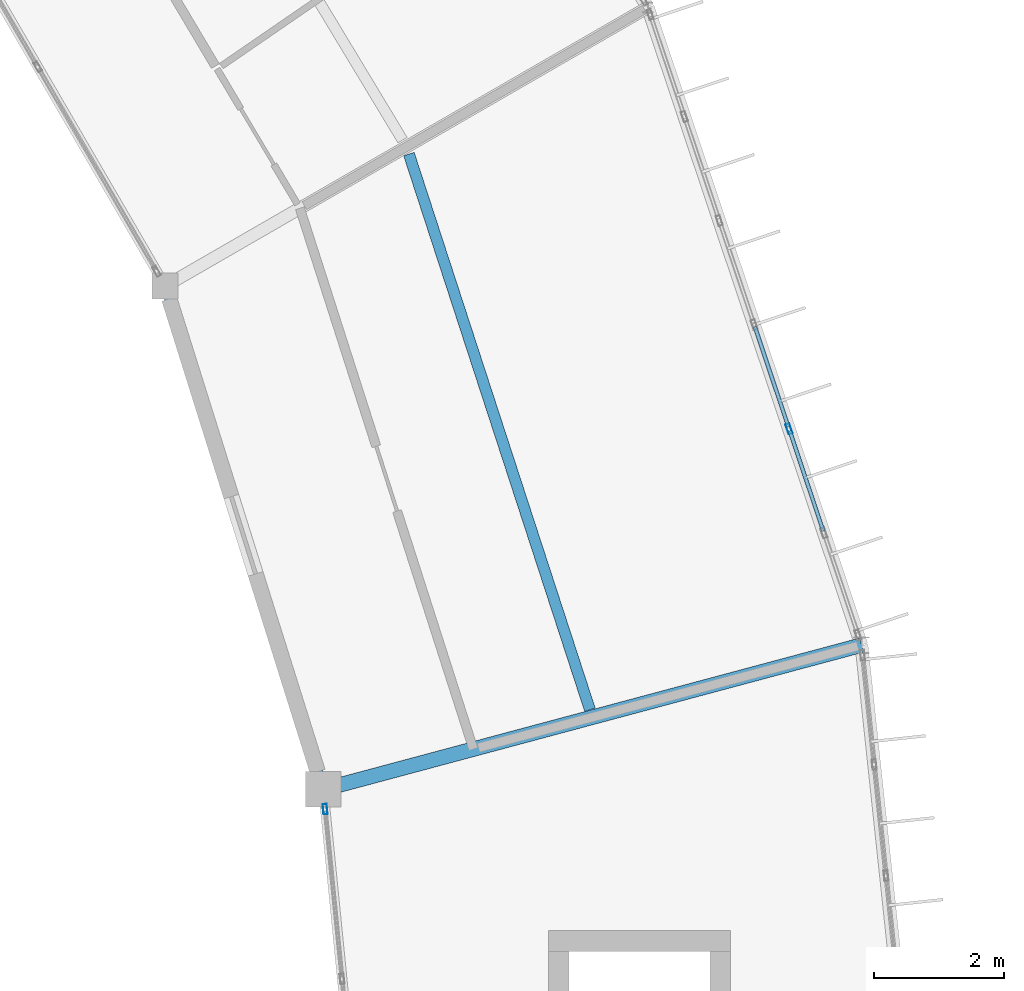
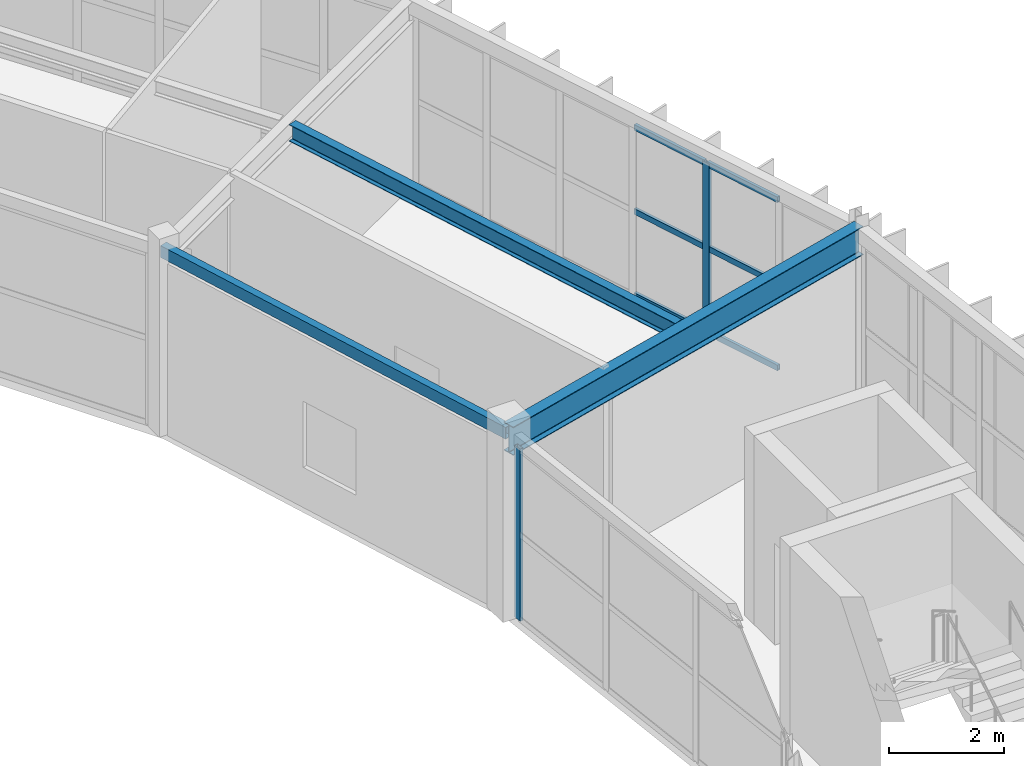
# One storey, part 59 of 130: 8 members, 3 beams, 2 elements without a shape of their own.
"""IFC4 building model written with IfcOpenShell, lengths in metres."""

import ifcopenshell
import ifcopenshell.guid

model = None  # the IFC model being written
_history = None  # IfcOwnerHistory: only IFC2X3 demands one
_inside = {}  # id of a spatial element -> (the spatial element, [elements in it])
_under = {}  # id of a project, library or spatial element -> (it, [spatial elements below it])
_declared = {}  # id of a project -> (the project, [libraries it declares])
_typed = {}  # id of a type object -> (the type object, [elements of that type])
_made_of = {}  # id of a material, layer set ... -> (it, [elements and type objects made of it])


def new_model(schema):
    """Start an empty IFC model of exactly this schema.

    Asked for "IFC4X3", IfcOpenShell would pick the latest addendum, in which some entities
    have other attributes; the version numbers below select the first issue.
    IFC2X3 requires an IfcOwnerHistory on every rooted entity: one is made here for all.
    """
    global model, _history
    if schema == "IFC4X3":
        model = ifcopenshell.file(schema_version=(4, 3, 0, 0))
    else:
        model = ifcopenshell.file(schema=schema)
    _inside.clear()
    _under.clear()
    _declared.clear()
    _typed.clear()
    _made_of.clear()
    _history = None
    if model.schema == "IFC2X3":
        org = make("IfcOrganization", Name="unknown")
        user = make(
            "IfcPersonAndOrganization",
            ThePerson=make("IfcPerson", FamilyName="unknown"),
            TheOrganization=org,
        )
        app = make(
            "IfcApplication",
            ApplicationDeveloper=org,
            Version="unknown",
            ApplicationFullName="unknown",
            ApplicationIdentifier="unknown",
        )
        _history = make(
            "IfcOwnerHistory",
            OwningUser=user,
            OwningApplication=app,
            ChangeAction="ADDED",
            CreationDate=0,
        )
    return model


def make(cls, **values):
    """One entity of the class cls with the attributes given. An attribute that is None is left unset."""
    return model.create_entity(
        cls, **{name: value for name, value in values.items() if value is not None}
    )


def rooted(cls, **values):
    """An entity with a GlobalId (a new one), such as an element, a storey or a relation."""
    return make(cls, GlobalId=ifcopenshell.guid.new(), OwnerHistory=_history, **values)


def si_unit(unit_type, name, prefix=None):
    """IfcSIUnit, for example si_unit("LENGTHUNIT", "METRE", prefix="MILLI")."""
    return make("IfcSIUnit", UnitType=unit_type, Prefix=prefix, Name=name)


def assignment(units):
    """IfcUnitAssignment: the units of a project."""
    return None if units is None else make("IfcUnitAssignment", Units=units)


def point(xyz):
    """IfcCartesianPoint."""
    return None if xyz is None else make("IfcCartesianPoint", Coordinates=xyz)


def direction(xyz):
    """IfcDirection."""
    return None if xyz is None else make("IfcDirection", DirectionRatios=xyz)


def frame(location, z_axis=None, x_axis=None):
    """IfcAxis2Placement3D, a coordinate frame: its origin and axes. An axis left out is left unset."""
    return make(
        "IfcAxis2Placement3D",
        Location=point(location),
        Axis=direction(z_axis),
        RefDirection=direction(x_axis),
    )


def frame_2d(location, x_axis=None):
    """IfcAxis2Placement2D, a coordinate frame in the plane: its origin and x axis."""
    return make(
        "IfcAxis2Placement2D", Location=point(location), RefDirection=direction(x_axis)
    )


def origin():
    """The frame at (0, 0, 0) with its axes left unset."""
    return frame((0.0, 0.0, 0.0))


def origin_2d():
    """The frame at (0, 0) in the plane with its x axis left unset."""
    return frame_2d((0.0, 0.0))


def place(relative_to, where):
    """IfcLocalPlacement: puts the frame where relative to a parent placement (None: the world)."""
    return make(
        "IfcLocalPlacement", PlacementRelTo=relative_to, RelativePlacement=where
    )


def context(
    kind, dimensions, precision=None, world=None, true_north=None, identifier=None
):
    """IfcGeometricRepresentationContext, for example the 3D "Model" context."""
    return make(
        "IfcGeometricRepresentationContext",
        ContextIdentifier=identifier,
        ContextType=kind,
        CoordinateSpaceDimension=dimensions,
        Precision=precision,
        WorldCoordinateSystem=world,
        TrueNorth=true_north,
    )


def subcontext(parent, identifier, kind, view, scale=None):
    """IfcGeometricRepresentationSubContext, for example "Body" below "Model"."""
    return make(
        "IfcGeometricRepresentationSubContext",
        ContextIdentifier=identifier,
        ContextType=kind,
        ParentContext=parent,
        TargetScale=scale,
        TargetView=view,
    )


def project(units=None, contexts=None):
    """IfcProject with its units and contexts."""
    return rooted(
        "IfcProject",
        Name="project",
        RepresentationContexts=contexts,
        UnitsInContext=assignment(units),
    )


def spatial(cls, under=None, at=None, **own):
    """A site, building, storey or space (cls), placed at a placement, below another one or the project."""
    s = rooted(cls, ObjectPlacement=at, **own)
    if under is not None:
        _under.setdefault(under.id(), (under, []))[1].append(s)
    return s


def profile(cls, at=None, kind="AREA", **sizes):
    """A parametric profile (cls). Its sizes go by their IFC names, for example OverallWidth=200.0."""
    return make(cls, ProfileType=kind, Position=at, **sizes)


def hollow_rectangle(**sizes):
    """IfcRectangleHollowProfileDef."""
    return profile("IfcRectangleHollowProfileDef", **sizes)


def i_section(**sizes):
    """IfcIShapeProfileDef."""
    return profile("IfcIShapeProfileDef", **sizes)


def extrude(swept, where, along, depth):
    """IfcExtrudedAreaSolid: the profile swept, set in the frame where, extruded along a direction by depth."""
    return make(
        "IfcExtrudedAreaSolid",
        SweptArea=swept,
        Position=where,
        ExtrudedDirection=direction(along),
        Depth=depth,
    )


def shape(context_of_items, identifier, shape_type, items):
    """IfcShapeRepresentation: the items that make up one representation, for example the "Body"."""
    return make(
        "IfcShapeRepresentation",
        ContextOfItems=context_of_items,
        RepresentationIdentifier=identifier,
        RepresentationType=shape_type,
        Items=items,
    )


def material(Name=None, Category=None):
    """IfcMaterial."""
    return make("IfcMaterial", Name=Name, Category=Category)


def material_profile(
    of_material, cross_section, Name=None, Category=None, Priority=None
):
    """IfcMaterialProfile: a cross section and its material."""
    return make(
        "IfcMaterialProfile",
        Name=Name,
        Material=of_material,
        Profile=cross_section,
        Priority=Priority,
        Category=Category,
    )


def profile_set(profiles, Name=None, composite=None):
    """IfcMaterialProfileSet."""
    return make(
        "IfcMaterialProfileSet",
        Name=Name,
        MaterialProfiles=profiles,
        CompositeProfile=composite,
    )


def made_of(thing, what):
    """Note that an element or type object is made of a material, layer set ...; save() writes the relation."""
    if what is not None:
        _made_of.setdefault(what.id(), (what, []))[1].append(thing)
    return thing


def type_object(cls, material=None, **own):
    """A type object (cls), such as IfcWallType, which elements share."""
    return made_of(rooted(cls, **own), material)


def element(
    cls,
    number,
    at=None,
    inside=None,
    cuts=None,
    type_object=None,
    material=None,
    context=None,
    identifier="Body",
    shape_type=None,
    held_by="IfcProductDefinitionShape",
    body=None,
    shapes=None,
    **own,
):
    """One element of the class cls, such as IfcWall. Its Tag is "e" and its number.

    at: its placement. inside: the storey or other place that contains it. cuts: it is an
    opening in that element (IfcRelVoidsElement). A single representation is given by context,
    identifier, shape_type and body (its items); several are given by shapes. held_by: the class
    of the entity that holds the representations. save() writes the other relations.
    """
    e = rooted(cls, Tag="e%d" % number, ObjectPlacement=at, **own)
    if body is not None:
        shapes = [shape(context, identifier, shape_type, body)]
    if shapes is not None:
        e.Representation = make(held_by, Representations=shapes)
    if inside is not None:
        _inside.setdefault(inside.id(), (inside, []))[1].append(e)
    if cuts is not None:
        rooted(
            "IfcRelVoidsElement", RelatingBuildingElement=cuts, RelatedOpeningElement=e
        )
    if type_object is not None:
        _typed.setdefault(type_object.id(), (type_object, []))[1].append(e)
    return made_of(e, material)


def aggregate(whole, parts):
    """IfcRelAggregates: a whole, such as a stair, and the parts it consists of."""
    return rooted("IfcRelAggregates", RelatingObject=whole, RelatedObjects=parts)


def save(model, path):
    """Write the relations noted so far, then the file.

    IfcRelAggregates (storeys below a building ...), IfcRelContainedInSpatialStructure (elements
    in a storey), IfcRelDefinesByType, IfcRelAssociatesMaterial and IfcRelDeclares: one each for
    every whole, place, type object, material and project.
    """
    for whole, parts in _under.values():
        aggregate(whole, parts)
    for where, things in _inside.values():
        rooted(
            "IfcRelContainedInSpatialStructure",
            RelatedElements=things,
            RelatingStructure=where,
        )
    for kind, things in _typed.values():
        rooted("IfcRelDefinesByType", RelatedObjects=things, RelatingType=kind)
    for what, things in _made_of.values():
        rooted("IfcRelAssociatesMaterial", RelatedObjects=things, RelatingMaterial=what)
    for by, libraries in _declared.values():
        rooted("IfcRelDeclares", RelatingContext=by, RelatedDefinitions=libraries)
    model.write(path)


model = new_model("IFC4")

# Units and contexts
model_context = context("Model", 3, precision=1e-05, world=origin(), true_north=direction((0.0, 1.0)))
body_context = subcontext(model_context, "Body", "Model", "MODEL_VIEW")
ifc_project = project(units=[si_unit("LENGTHUNIT", "METRE"), si_unit("AREAUNIT", "SQUARE_METRE"), si_unit("VOLUMEUNIT", "CUBIC_METRE"), si_unit("PLANEANGLEUNIT", "RADIAN"), si_unit("MASSUNIT", "GRAM", prefix="KILO")], contexts=[model_context])

# Site, building, storey
site_placement = place(None, origin())
site = spatial("IfcSite", under=ifc_project, at=site_placement, CompositionType="ELEMENT")
building_placement = place(site_placement, origin())
building = spatial("IfcBuilding", under=site, at=building_placement, Name="Karori Crest Natural Sciences Institute", CompositionType="ELEMENT")
storey_placement = place(building_placement, frame((0.0, 0.0, 17.5)))
storey = spatial("IfcBuildingStorey", under=building, at=storey_placement, Name="L04", CompositionType="ELEMENT", Elevation=17.5)

# Beams
ifc_material_1 = material(Name="Hollow structural steel AS/NZS 1163 Grade C350", Category="steel")
ifc_material_profile_1 = material_profile(ifc_material_1, hollow_rectangle(XDim=0.14990234375, YDim=0.25, WallThickness=0.009033203125, at=origin_2d()), Name="RHS250x150x9")
ifc_profile_set_1 = profile_set([ifc_material_profile_1], Name="Hollow structural steel AS/NZS 1163 Grade C350")
beam_type_1 = type_object("IfcBeamType", Name="BT-16", PredefinedType="SPANDREL", material=ifc_profile_set_1)
beam_1_placement = place(storey_placement, frame((89.968505859375, 58.23388671875, 3.7900390625), z_axis=(-0.299460006143, 0.954108853706, 0.0), x_axis=(-0.954108853706, -0.299460006143, 0.0)))
element("IfcBeam", 1, at=beam_1_placement, inside=storey, type_object=beam_type_1, Name="Beam B-0454", PredefinedType="SPANDREL", context=body_context, shape_type="SweptSolid", body=[
    extrude(hollow_rectangle(XDim=0.14990234375, YDim=0.25, WallThickness=0.009033203125, at=origin_2d()), origin(), (0.0, 0.0, 1.0), 8.1396484375),
])
ifc_material_2 = material(Name="Structural steel AS/NZS 3679.1 Grade 350", Category="steel")
ifc_material_profile_2 = material_profile(ifc_material_2, i_section(OverallWidth=0.22802734375, OverallDepth=0.60205078125, WebThickness=0.010498046875, FlangeThickness=0.014892578125, FilletRadius=0.013916015625, at=origin_2d()), Name="610UB101")
ifc_profile_set_2 = profile_set([ifc_material_profile_2], Name="Structural steel AS/NZS 3679.1 Grade 350")
beam_type_2 = type_object("IfcBeamType", Name="BT-27", PredefinedType="BEAM", material=ifc_profile_set_2)
beam_2_placement = place(storey_placement, frame((89.968505859375, 58.23388671875, 3.638916015625), z_axis=(0.96592752402, 0.258812709002, 0.0), x_axis=(-0.258812709002, 0.96592752402, 0.0)))
element("IfcBeam", 2, at=beam_2_placement, inside=storey, type_object=beam_type_2, Name="Beam B-0455", PredefinedType="BEAM", context=body_context, shape_type="SweptSolid", body=[
    extrude(i_section(OverallWidth=0.22802734375, OverallDepth=0.60205078125, WebThickness=0.010498046875, FlangeThickness=0.014892578125, FilletRadius=0.013916015625, at=origin_2d()), origin(), (0.0, 0.0, 1.0), 8.60009765625),
])
ifc_material_profile_3 = material_profile(ifc_material_2, i_section(OverallWidth=0.1708984375, OverallDepth=0.35595703125, WebThickness=0.00732421875, FlangeThickness=0.011474609375, FilletRadius=0.010986328125, at=origin_2d()), Name="360UB50.7")
ifc_profile_set_3 = profile_set([ifc_material_profile_3], Name="Structural steel AS/NZS 3679.1 Grade 350")
beam_type_3 = type_object("IfcBeamType", Name="BT-30", PredefinedType="BEAM", material=ifc_profile_set_3)
beam_3_placement = place(storey_placement, frame((94.0849609375, 59.4609375, 3.761962890625), z_axis=(-0.309698753032, 0.950834729262, 0.0), x_axis=(-0.950834729262, -0.309698753032, 0.0)))
element("IfcBeam", 3, at=beam_3_placement, inside=storey, type_object=beam_type_3, Name="Beam B-0456", PredefinedType="BEAM", context=body_context, shape_type="SweptSolid", body=[
    extrude(i_section(OverallWidth=0.1708984375, OverallDepth=0.35595703125, WebThickness=0.00732421875, FlangeThickness=0.011474609375, FilletRadius=0.010986328125, at=origin_2d()), origin(), (0.0, 0.0, 1.0), 9.018310546875),
])

# Curtain wall, member
ifc_material_3 = material(Name="Anodised architectural aluminium 6063-T6", Category="aluminium")
curtain_wall_type_1 = type_object("IfcCurtainWallType", Name="CWT-11", PredefinedType="NOTDEFINED", material=ifc_material_3)
curtain_wall_1_placement = place(storey_placement, origin())
curtain_wall_1 = element("IfcCurtainWall", 4, at=curtain_wall_1_placement, inside=storey, type_object=curtain_wall_type_1, Name="Curtain wall CW-0137", PredefinedType="NOTDEFINED")
ifc_material_profile_4 = material_profile(ifc_material_3, hollow_rectangle(XDim=0.06494140625, YDim=0.159912109375, WallThickness=0.00390625, at=origin_2d()), Name="CWM160x65x4")
ifc_profile_set_4 = profile_set([ifc_material_profile_4], Name="Anodised architectural aluminium 6063-T6")
member_type_1 = type_object("IfcMemberType", Name="CWM-01", PredefinedType="MULLION", material=ifc_profile_set_4)
member_1_placement = place(storey_placement, frame((89.9990234375, 57.9287109375, 0.0), z_axis=(0.0, 0.0, 1.0), x_axis=(-0.995060684604, -0.099268494275, 0.0)))
member_1 = element("IfcMember", 5, at=member_1_placement, type_object=member_type_1, Name="CW-0137 mullion 4", PredefinedType="MULLION", context=body_context, shape_type="SweptSolid", body=[
    extrude(hollow_rectangle(XDim=0.06494140625, YDim=0.159912109375, WallThickness=0.00390625, at=origin_2d()), origin(), (0.0, 0.0, 1.0), 3.64990234375),
])
aggregate(curtain_wall_1, [member_1])

# Curtain wall, members
curtain_wall_type_2 = type_object("IfcCurtainWallType", Name="CWT-02", PredefinedType="NOTDEFINED", material=ifc_material_3)
curtain_wall_2_placement = place(storey_placement, origin())
curtain_wall_2 = element("IfcCurtainWall", 6, at=curtain_wall_2_placement, inside=storey, type_object=curtain_wall_type_2, Name="Curtain wall CW-0138", PredefinedType="NOTDEFINED")
member_2_placement = place(storey_placement, frame((97.157470703125, 63.796875, 0.0), z_axis=(0.0, 0.0, 1.0), x_axis=(0.94819805026, 0.317679803392, 0.0)))
member_2 = element("IfcMember", 7, at=member_2_placement, type_object=member_type_1, Name="CW-0138 mullion 5", PredefinedType="MULLION", context=body_context, shape_type="SweptSolid", body=[
    extrude(hollow_rectangle(XDim=0.06494140625, YDim=0.159912109375, WallThickness=0.00390625, at=origin_2d()), origin(), (0.0, 0.0, 1.0), 3.625),
])
ifc_material_profile_5 = material_profile(ifc_material_3, hollow_rectangle(XDim=0.06005859375, YDim=0.1201171875, WallThickness=0.00390625, at=origin_2d()), Name="CWT120x60x4")
ifc_profile_set_5 = profile_set([ifc_material_profile_5], Name="Anodised architectural aluminium 6063-T6")
member_type_2 = type_object("IfcMemberType", Name="CWT-TR1", PredefinedType="USERDEFINED", material=ifc_profile_set_5)
member_3_placement = place(storey_placement, frame((96.6298828125, 65.3720703125, 0.030029296875), z_axis=(0.317621421426, -0.948217608279, 0.0), x_axis=(0.948217608279, 0.317621421426, 0.0)))
member_3 = element("IfcMember", 8, at=member_3_placement, type_object=member_type_2, Name="CW-0138 transom 4.1", ObjectType="TRANSOM", PredefinedType="USERDEFINED", context=body_context, shape_type="SweptSolid", body=[
    extrude(hollow_rectangle(XDim=0.06005859375, YDim=0.1201171875, WallThickness=0.00390625, at=origin_2d()), origin(), (0.0, 0.0, 1.0), 1.628662109375),
])
member_4_placement = place(storey_placement, frame((96.6298828125, 65.3720703125, 1.8125), z_axis=(0.317621421426, -0.948217608279, 0.0), x_axis=(0.948217608279, 0.317621421426, 0.0)))
member_4 = element("IfcMember", 9, at=member_4_placement, type_object=member_type_2, Name="CW-0138 transom 4.2", ObjectType="TRANSOM", PredefinedType="USERDEFINED", context=body_context, shape_type="SweptSolid", body=[
    extrude(hollow_rectangle(XDim=0.06005859375, YDim=0.1201171875, WallThickness=0.00390625, at=origin_2d()), origin(), (0.0, 0.0, 1.0), 1.628662109375),
])
member_5_placement = place(storey_placement, frame((96.6298828125, 65.3720703125, 3.594970703125), z_axis=(0.317621421426, -0.948217608279, 0.0), x_axis=(0.948217608279, 0.317621421426, 0.0)))
member_5 = element("IfcMember", 10, at=member_5_placement, type_object=member_type_2, Name="CW-0138 transom 4.3", ObjectType="TRANSOM", PredefinedType="USERDEFINED", context=body_context, shape_type="SweptSolid", body=[
    extrude(hollow_rectangle(XDim=0.06005859375, YDim=0.1201171875, WallThickness=0.00390625, at=origin_2d()), origin(), (0.0, 0.0, 1.0), 1.628662109375),
])
member_6_placement = place(storey_placement, frame((97.16796875, 63.76611328125, 0.030029296875), z_axis=(0.317621421426, -0.948217608279, 0.0), x_axis=(0.948217608279, 0.317621421426, 0.0)))
member_6 = element("IfcMember", 11, at=member_6_placement, type_object=member_type_2, Name="CW-0138 transom 5.1", ObjectType="TRANSOM", PredefinedType="USERDEFINED", context=body_context, shape_type="SweptSolid", body=[
    extrude(hollow_rectangle(XDim=0.06005859375, YDim=0.1201171875, WallThickness=0.00390625, at=origin_2d()), origin(), (0.0, 0.0, 1.0), 1.628662109375),
])
member_7_placement = place(storey_placement, frame((97.16796875, 63.76611328125, 1.8125), z_axis=(0.317621421426, -0.948217608279, 0.0), x_axis=(0.948217608279, 0.317621421426, 0.0)))
member_7 = element("IfcMember", 12, at=member_7_placement, type_object=member_type_2, Name="CW-0138 transom 5.2", ObjectType="TRANSOM", PredefinedType="USERDEFINED", context=body_context, shape_type="SweptSolid", body=[
    extrude(hollow_rectangle(XDim=0.06005859375, YDim=0.1201171875, WallThickness=0.00390625, at=origin_2d()), origin(), (0.0, 0.0, 1.0), 1.628662109375),
])
member_8_placement = place(storey_placement, frame((97.16796875, 63.76611328125, 3.594970703125), z_axis=(0.317621421426, -0.948217608279, 0.0), x_axis=(0.948217608279, 0.317621421426, 0.0)))
member_8 = element("IfcMember", 13, at=member_8_placement, type_object=member_type_2, Name="CW-0138 transom 5.3", ObjectType="TRANSOM", PredefinedType="USERDEFINED", context=body_context, shape_type="SweptSolid", body=[
    extrude(hollow_rectangle(XDim=0.06005859375, YDim=0.1201171875, WallThickness=0.00390625, at=origin_2d()), origin(), (0.0, 0.0, 1.0), 1.628662109375),
])
aggregate(curtain_wall_2, [member_2, member_3, member_4, member_5, member_6, member_7, member_8])

save(model, "model.ifc")
